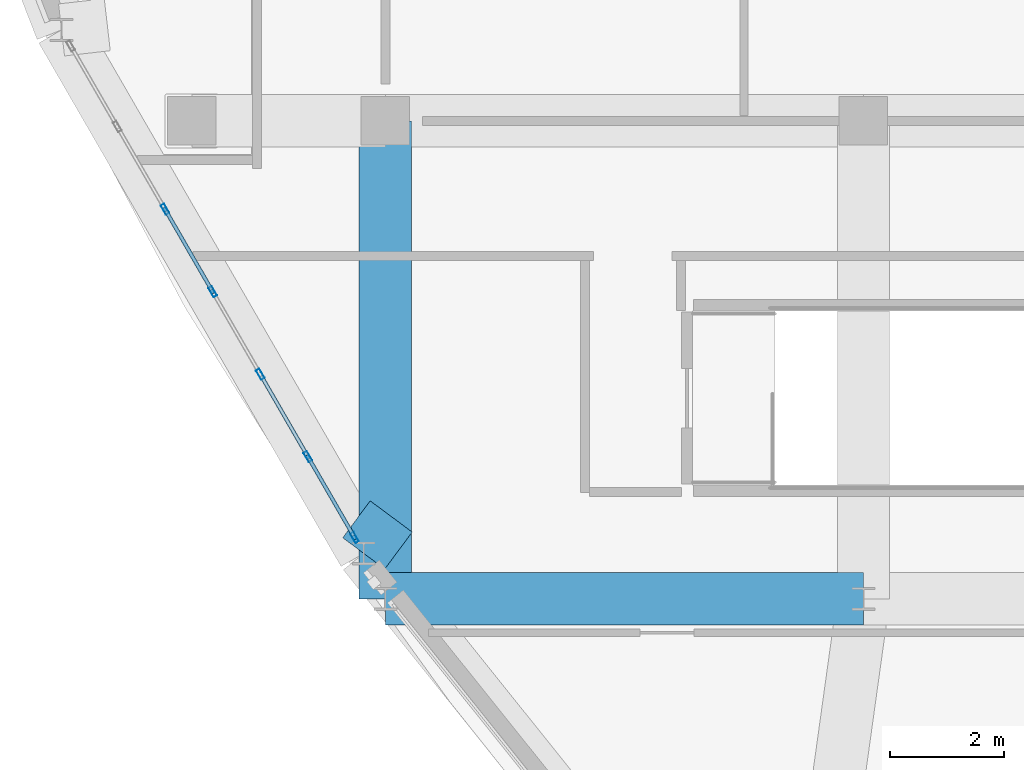
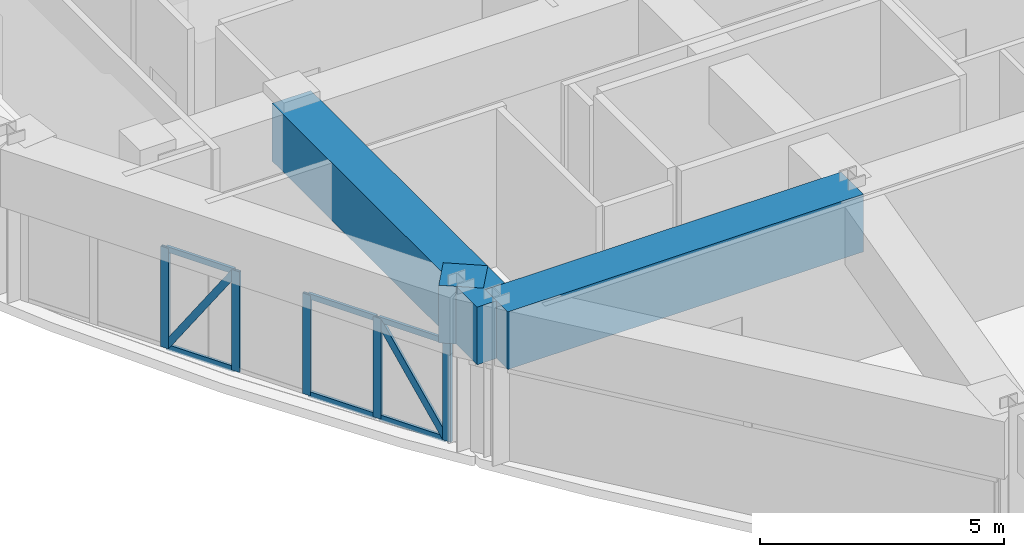
# One storey, part 2 of 16: 13 members, 3 beams, 1 element without a shape of its own.
"""IFC4 building model written with IfcOpenShell, lengths in metres."""

from ifc_helpers import new_model, si_unit, derived_unit, direction, frame, origin, origin_2d, place, context, subcontext, project, spatial, rectangle, hollow_rectangle, extrude, source, transform, mapped, material, layer, layer_set, material_profile, profile_set, type_object, element, aggregate, save


model = new_model("IFC4")

# Units and contexts
model_context = context("Model", 3, precision=1e-05, world=origin(), true_north=direction((0.0, 1.0)))
body_context = subcontext(model_context, "Body", "Model", "MODEL_VIEW")
ifc_project = project(units=[si_unit("LENGTHUNIT", "METRE"), si_unit("AREAUNIT", "SQUARE_METRE"), si_unit("VOLUMEUNIT", "CUBIC_METRE"), si_unit("PLANEANGLEUNIT", "RADIAN"), si_unit("MASSUNIT", "GRAM", prefix="KILO"), derived_unit("THERMALTRANSMITTANCEUNIT", [(si_unit("POWERUNIT", "WATT"), 1), (si_unit("LENGTHUNIT", "METRE"), -2), (si_unit("THERMODYNAMICTEMPERATUREUNIT", "KELVIN"), -1)])], contexts=[model_context])

# Site, building, storey
site_placement = place(None, origin())
site = spatial("IfcSite", under=ifc_project, at=site_placement, CompositionType="ELEMENT")
building_placement = place(site_placement, origin())
building = spatial("IfcBuilding", under=site, at=building_placement, Name="Korsvarv Bourse and Concert Hall", CompositionType="ELEMENT")
storey_placement = place(building_placement, frame((0.0, 0.0, 288.0)))
storey = spatial("IfcBuildingStorey", under=building, at=storey_placement, Name="L75", CompositionType="ELEMENT", Elevation=288.0)

# Beams
ifc_material_1 = material(Name="Concrete C50/60", Category="concrete")
ifc_material_profile_1 = material_profile(ifc_material_1, rectangle(XDim=0.919921875, YDim=1.43994140625, at=origin_2d()), Name="RC-BM 920x1440")
ifc_profile_set_1 = profile_set([ifc_material_profile_1], Name="Concrete C50/60")
beam_type = type_object("IfcBeamType", Name="BM-TR-144", PredefinedType="BEAM", material=ifc_profile_set_1)
shared_shape_1 = source(origin(), body_context, "Body", "SweptSolid", [
    extrude(rectangle(XDim=0.919921875, YDim=1.43994140625, at=origin_2d()), origin(), (0.0, 0.0, 1.0), 8.39990234375),
])
for number, where, z_axis, x_axis, name in (
    (1, (27.60009765625, 24.0, 3.22998046875), (1.0, 0.0, 0.0), (0.0, 1.0, 0.0), "L75 beam B-TR4"),
    (2, (27.60009765625, 24.0, 3.22998046875), (0.0, 1.0, 0.0), (-1.0, 0.0, 0.0), "L75 beam B-TR4"),
):
    element("IfcBeam", number, at=place(storey_placement, frame(where, z_axis=z_axis, x_axis=x_axis)), inside=storey, type_object=beam_type, Name=name, PredefinedType="BEAM", context=body_context, shape_type="MappedRepresentation", body=[
        mapped(shared_shape_1, transform((0.0, 0.0, 0.0), scale=1.0)),
    ])
shared_shape_2 = source(origin(), body_context, "Body", "SweptSolid", [
    extrude(rectangle(XDim=0.919921875, YDim=1.43994140625, at=origin_2d()), origin(), (0.0, 0.0, 1.0), 0.80859375),
])
beam_placement = place(storey_placement, frame((27.22021484375, 24.79931640625, 3.22998046875), z_axis=(0.596079351638, 0.802925529891, 0.0), x_axis=(-0.802925529891, 0.596079351638, 0.0)))
element("IfcBeam", 3, at=beam_placement, inside=storey, type_object=beam_type, Name="L75 beam B-TR4", PredefinedType="BEAM", context=body_context, shape_type="MappedRepresentation", body=[
    mapped(shared_shape_2, transform((0.0, 0.0, 0.0), scale=1.0)),
])

# Curtain wall, members
ifc_material_2 = material(Name="Anodised aluminium and triple low-E glazing", Category="glass")
ifc_layer = layer(ifc_material_2, 0.18994140625)
ifc_layer_set = layer_set([ifc_layer], Name="Anodised aluminium and triple low-E glazing")
curtain_wall_type = type_object("IfcCurtainWallType", Name="CW-SYS-4", PredefinedType="NOTDEFINED", material=ifc_layer_set)
curtain_wall_placement = place(storey_placement, origin())
curtain_wall = element("IfcCurtainWall", 4, at=curtain_wall_placement, inside=storey, type_object=curtain_wall_type, Name="L75 CW4 curtain wall CW-L75-F07", PredefinedType="NOTDEFINED")
ifc_material_3 = material(Name="Extruded aluminium EN AW-6063 T66", Category="aluminium")
ifc_material_profile_2 = material_profile(ifc_material_3, hollow_rectangle(XDim=0.06494140625, YDim=0.1650390625, WallThickness=0.0048828125, at=origin_2d()), Name="ALU-M 65x165")
ifc_profile_set_2 = profile_set([ifc_material_profile_2], Name="Extruded aluminium EN AW-6063 T66")
member_type_1 = type_object("IfcMemberType", Name="CWM-165", PredefinedType="MULLION", material=ifc_profile_set_2)
shared_shape_3 = source(origin(), body_context, "Body", "SweptSolid", [
    extrude(hollow_rectangle(XDim=0.06494140625, YDim=0.1650390625, WallThickness=0.0048828125, at=origin_2d()), origin(), (0.0, 0.0, 1.0), 2.850830078125),
])
member_1_placement = place(storey_placement, frame((27.041015625, 25.109375, 0.06494140625), z_axis=(-0.275161943689, 0.476673320439, 0.834906252418), x_axis=(-0.866061218596, -0.499937961795, 0.0)))
member_1 = element("IfcMember", 5, at=member_1_placement, type_object=member_type_1, Name="CW4 diagonal mullion 6", PredefinedType="MULLION", context=body_context, shape_type="MappedRepresentation", body=[
    mapped(shared_shape_3, transform((0.0, 0.0, 0.0), scale=1.0)),
])
ifc_material_profile_3 = material_profile(ifc_material_3, hollow_rectangle(XDim=0.070068359375, YDim=0.18994140625, WallThickness=0.0048828125, at=origin_2d()), Name="ALU-M 70x190")
ifc_profile_set_3 = profile_set([ifc_material_profile_3], Name="Extruded aluminium EN AW-6063 T66")
member_type_2 = type_object("IfcMemberType", Name="CWM-190", PredefinedType="MULLION", material=ifc_profile_set_3)
shared_shape_4 = source(origin(), body_context, "Body", "SweptSolid", [
    extrude(hollow_rectangle(XDim=0.070068359375, YDim=0.18994140625, WallThickness=0.0048828125, at=origin_2d()), origin(), (0.0, 0.0, 1.0), 2.510009765625),
])
member_2_placement = place(storey_placement, frame((23.72802734375, 30.84765625, 0.0), z_axis=(0.0, 0.0, 1.0), x_axis=(0.866022776267, 0.500004550967, 0.0)))
member_2 = element("IfcMember", 6, at=member_2_placement, type_object=member_type_2, Name="CW4 mullion 3", PredefinedType="MULLION", context=body_context, shape_type="MappedRepresentation", body=[
    mapped(shared_shape_4, transform((0.0, 0.0, 0.0), scale=1.0)),
])
member_3_placement = place(storey_placement, frame((24.56494140625, 29.39794921875, 0.0), z_axis=(0.0, 0.0, 1.0), x_axis=(0.866022776267, 0.500004550967, 0.0)))
member_3 = element("IfcMember", 7, at=member_3_placement, type_object=member_type_2, Name="CW4 mullion 4", PredefinedType="MULLION", context=body_context, shape_type="MappedRepresentation", body=[
    mapped(shared_shape_4, transform((0.0, 0.0, 0.0), scale=1.0)),
])
member_4_placement = place(storey_placement, frame((25.402099609375, 27.9482421875, 0.0), z_axis=(0.0, 0.0, 1.0), x_axis=(0.866022776267, 0.500004550967, 0.0)))
member_4 = element("IfcMember", 8, at=member_4_placement, type_object=member_type_2, Name="CW4 mullion 5", PredefinedType="MULLION", context=body_context, shape_type="MappedRepresentation", body=[
    mapped(shared_shape_4, transform((0.0, 0.0, 0.0), scale=1.0)),
])
member_5_placement = place(storey_placement, frame((26.239013671875, 26.49853515625, 0.0), z_axis=(0.0, 0.0, 1.0), x_axis=(0.866022776267, 0.500004550967, 0.0)))
member_5 = element("IfcMember", 9, at=member_5_placement, type_object=member_type_2, Name="CW4 mullion 6", PredefinedType="MULLION", context=body_context, shape_type="MappedRepresentation", body=[
    mapped(shared_shape_4, transform((0.0, 0.0, 0.0), scale=1.0)),
])
member_6_placement = place(storey_placement, frame((27.05859375, 25.0791015625, 0.0), z_axis=(0.0, 0.0, 1.0), x_axis=(0.866022776267, 0.500004550967, 0.0)))
member_6 = element("IfcMember", 10, at=member_6_placement, type_object=member_type_2, Name="CW4 mullion 7", PredefinedType="MULLION", context=body_context, shape_type="MappedRepresentation", body=[
    mapped(shared_shape_4, transform((0.0, 0.0, 0.0), scale=1.0)),
])
ifc_material_profile_4 = material_profile(ifc_material_3, hollow_rectangle(XDim=0.06494140625, YDim=0.139892578125, WallThickness=0.00390625, at=origin_2d()), Name="ALU-T 65x140")
ifc_profile_set_4 = profile_set([ifc_material_profile_4], Name="Extruded aluminium EN AW-6063 T66")
member_type_3 = type_object("IfcMemberType", Name="CWT-140", PredefinedType="USERDEFINED", material=ifc_profile_set_4)
shared_shape_5 = source(origin(), body_context, "Body", "SweptSolid", [
    extrude(hollow_rectangle(XDim=0.06494140625, YDim=0.139892578125, WallThickness=0.00390625, at=origin_2d()), origin(), (0.0, 0.0, 1.0), 1.569091796875),
])
member_7_placement = place(storey_placement, frame((26.256591796875, 26.46826171875, 0.032470703125), z_axis=(0.499937961795, -0.866061218596, 0.0), x_axis=(0.866061218596, 0.499937961795, 0.0)))
member_7 = element("IfcMember", 11, at=member_7_placement, type_object=member_type_3, Name="CW4 transom 6.1", ObjectType="TRANSOM", PredefinedType="USERDEFINED", context=body_context, shape_type="MappedRepresentation", body=[
    mapped(shared_shape_5, transform((0.0, 0.0, 0.0), scale=1.0)),
])
member_8_placement = place(storey_placement, frame((26.256591796875, 26.46826171875, 2.4775390625), z_axis=(0.499937961795, -0.866061218596, 0.0), x_axis=(0.866061218596, 0.499937961795, 0.0)))
member_8 = element("IfcMember", 12, at=member_8_placement, type_object=member_type_3, Name="CW4 transom 6.2", ObjectType="TRANSOM", PredefinedType="USERDEFINED", context=body_context, shape_type="MappedRepresentation", body=[
    mapped(shared_shape_5, transform((0.0, 0.0, 0.0), scale=1.0)),
])
shared_shape_6 = source(origin(), body_context, "Body", "SweptSolid", [
    extrude(hollow_rectangle(XDim=0.06494140625, YDim=0.139892578125, WallThickness=0.00390625, at=origin_2d()), origin(), (0.0, 0.0, 1.0), 1.604248046875),
])
member_9_placement = place(storey_placement, frame((23.745361328125, 30.8173828125, 0.032470703125), z_axis=(0.500100096767, -0.865967605175, 0.0), x_axis=(0.865967605175, 0.500100096767, 0.0)))
member_9 = element("IfcMember", 13, at=member_9_placement, type_object=member_type_3, Name="CW4 transom 3.1", ObjectType="TRANSOM", PredefinedType="USERDEFINED", context=body_context, shape_type="MappedRepresentation", body=[
    mapped(shared_shape_6, transform((0.0, 0.0, 0.0), scale=1.0)),
])
member_10_placement = place(storey_placement, frame((23.745361328125, 30.8173828125, 2.4775390625), z_axis=(0.500100096767, -0.865967605175, 0.0), x_axis=(0.865967605175, 0.500100096767, 0.0)))
member_10 = element("IfcMember", 14, at=member_10_placement, type_object=member_type_3, Name="CW4 transom 3.2", ObjectType="TRANSOM", PredefinedType="USERDEFINED", context=body_context, shape_type="MappedRepresentation", body=[
    mapped(shared_shape_6, transform((0.0, 0.0, 0.0), scale=1.0)),
])
member_11_placement = place(storey_placement, frame((25.41943359375, 27.91796875, 0.032470703125), z_axis=(0.500100096767, -0.865967605175, 0.0), x_axis=(0.865967605175, 0.500100096767, 0.0)))
member_11 = element("IfcMember", 15, at=member_11_placement, type_object=member_type_3, Name="CW4 transom 5.1", ObjectType="TRANSOM", PredefinedType="USERDEFINED", context=body_context, shape_type="MappedRepresentation", body=[
    mapped(shared_shape_6, transform((0.0, 0.0, 0.0), scale=1.0)),
])
member_12_placement = place(storey_placement, frame((25.41943359375, 27.91796875, 2.4775390625), z_axis=(0.500100096767, -0.865967605175, 0.0), x_axis=(0.865967605175, 0.500100096767, 0.0)))
member_12 = element("IfcMember", 16, at=member_12_placement, type_object=member_type_3, Name="CW4 transom 5.2", ObjectType="TRANSOM", PredefinedType="USERDEFINED", context=body_context, shape_type="MappedRepresentation", body=[
    mapped(shared_shape_6, transform((0.0, 0.0, 0.0), scale=1.0)),
])
shared_shape_7 = source(origin(), body_context, "Body", "SweptSolid", [
    extrude(hollow_rectangle(XDim=0.06494140625, YDim=0.1650390625, WallThickness=0.0048828125, at=origin_2d()), origin(), (0.0, 0.0, 1.0), 2.870361328125),
])
member_13_placement = place(storey_placement, frame((23.745361328125, 30.8173828125, 0.06494140625), z_axis=(0.279503332123, -0.483984771691, 0.829238583342), x_axis=(0.865967605175, 0.500100096767, 0.0)))
member_13 = element("IfcMember", 17, at=member_13_placement, type_object=member_type_1, Name="CW4 diagonal mullion 3", PredefinedType="MULLION", context=body_context, shape_type="MappedRepresentation", body=[
    mapped(shared_shape_7, transform((0.0, 0.0, 0.0), scale=1.0)),
])
aggregate(curtain_wall, [member_2, member_3, member_4, member_5, member_6, member_9, member_10, member_13, member_11, member_12, member_7, member_8, member_1])

save(model, "model.ifc")
